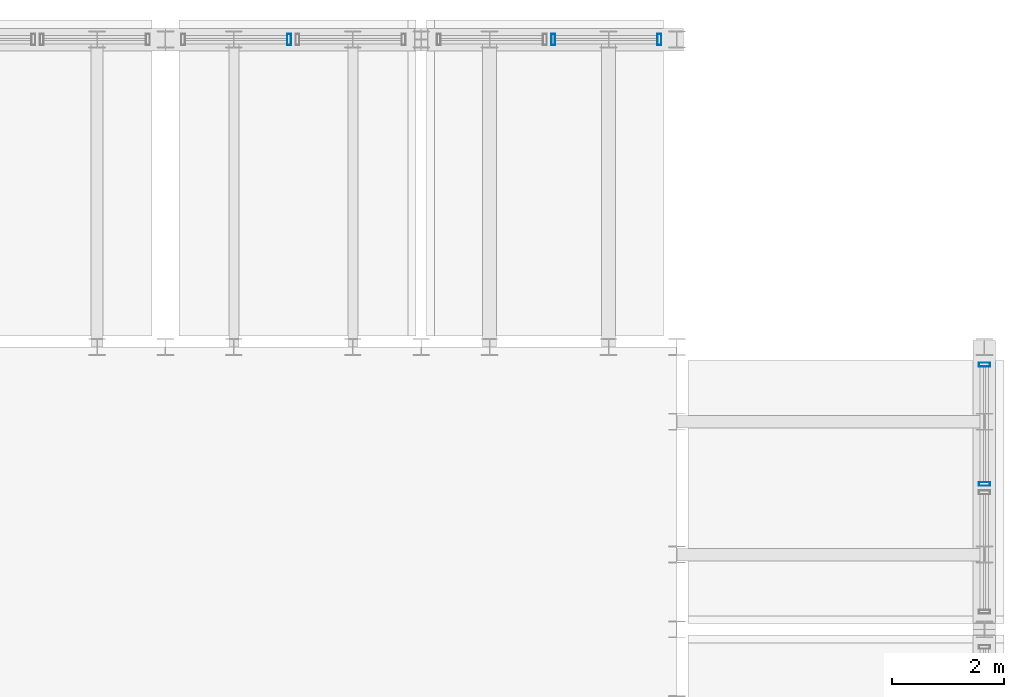
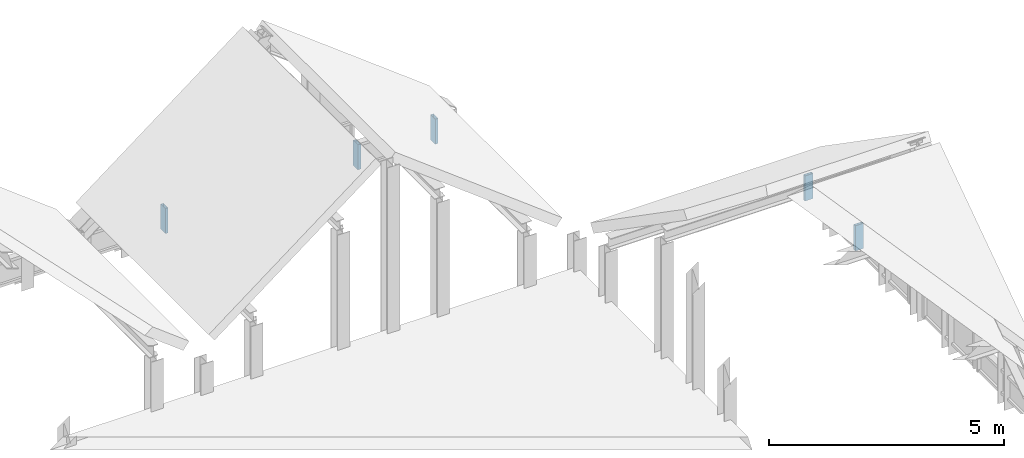
# One storey, part 19 of 21: 5 members, 3 elements without a shape of their own.
"""IFC4 building model written with IfcOpenShell, lengths in metres."""

import ifcopenshell
import ifcopenshell.guid

model = None  # the IFC model being written
_history = None  # IfcOwnerHistory: only IFC2X3 demands one
_inside = {}  # id of a spatial element -> (the spatial element, [elements in it])
_under = {}  # id of a project, library or spatial element -> (it, [spatial elements below it])
_declared = {}  # id of a project -> (the project, [libraries it declares])
_typed = {}  # id of a type object -> (the type object, [elements of that type])
_made_of = {}  # id of a material, layer set ... -> (it, [elements and type objects made of it])


def new_model(schema):
    """Start an empty IFC model of exactly this schema.

    Asked for "IFC4X3", IfcOpenShell would pick the latest addendum, in which some entities
    have other attributes; the version numbers below select the first issue.
    IFC2X3 requires an IfcOwnerHistory on every rooted entity: one is made here for all.
    """
    global model, _history
    if schema == "IFC4X3":
        model = ifcopenshell.file(schema_version=(4, 3, 0, 0))
    else:
        model = ifcopenshell.file(schema=schema)
    _inside.clear()
    _under.clear()
    _declared.clear()
    _typed.clear()
    _made_of.clear()
    _history = None
    if model.schema == "IFC2X3":
        org = make("IfcOrganization", Name="unknown")
        user = make(
            "IfcPersonAndOrganization",
            ThePerson=make("IfcPerson", FamilyName="unknown"),
            TheOrganization=org,
        )
        app = make(
            "IfcApplication",
            ApplicationDeveloper=org,
            Version="unknown",
            ApplicationFullName="unknown",
            ApplicationIdentifier="unknown",
        )
        _history = make(
            "IfcOwnerHistory",
            OwningUser=user,
            OwningApplication=app,
            ChangeAction="ADDED",
            CreationDate=0,
        )
    return model


def make(cls, **values):
    """One entity of the class cls with the attributes given. An attribute that is None is left unset."""
    return model.create_entity(
        cls, **{name: value for name, value in values.items() if value is not None}
    )


def rooted(cls, **values):
    """An entity with a GlobalId (a new one), such as an element, a storey or a relation."""
    return make(cls, GlobalId=ifcopenshell.guid.new(), OwnerHistory=_history, **values)


def si_unit(unit_type, name, prefix=None):
    """IfcSIUnit, for example si_unit("LENGTHUNIT", "METRE", prefix="MILLI")."""
    return make("IfcSIUnit", UnitType=unit_type, Prefix=prefix, Name=name)


def assignment(units):
    """IfcUnitAssignment: the units of a project."""
    return None if units is None else make("IfcUnitAssignment", Units=units)


def point(xyz):
    """IfcCartesianPoint."""
    return None if xyz is None else make("IfcCartesianPoint", Coordinates=xyz)


def direction(xyz):
    """IfcDirection."""
    return None if xyz is None else make("IfcDirection", DirectionRatios=xyz)


def frame(location, z_axis=None, x_axis=None):
    """IfcAxis2Placement3D, a coordinate frame: its origin and axes. An axis left out is left unset."""
    return make(
        "IfcAxis2Placement3D",
        Location=point(location),
        Axis=direction(z_axis),
        RefDirection=direction(x_axis),
    )


def frame_2d(location, x_axis=None):
    """IfcAxis2Placement2D, a coordinate frame in the plane: its origin and x axis."""
    return make(
        "IfcAxis2Placement2D", Location=point(location), RefDirection=direction(x_axis)
    )


def origin():
    """The frame at (0, 0, 0) with its axes left unset."""
    return frame((0.0, 0.0, 0.0))


def origin_2d():
    """The frame at (0, 0) in the plane with its x axis left unset."""
    return frame_2d((0.0, 0.0))


def place(relative_to, where):
    """IfcLocalPlacement: puts the frame where relative to a parent placement (None: the world)."""
    return make(
        "IfcLocalPlacement", PlacementRelTo=relative_to, RelativePlacement=where
    )


def context(
    kind, dimensions, precision=None, world=None, true_north=None, identifier=None
):
    """IfcGeometricRepresentationContext, for example the 3D "Model" context."""
    return make(
        "IfcGeometricRepresentationContext",
        ContextIdentifier=identifier,
        ContextType=kind,
        CoordinateSpaceDimension=dimensions,
        Precision=precision,
        WorldCoordinateSystem=world,
        TrueNorth=true_north,
    )


def subcontext(parent, identifier, kind, view, scale=None):
    """IfcGeometricRepresentationSubContext, for example "Body" below "Model"."""
    return make(
        "IfcGeometricRepresentationSubContext",
        ContextIdentifier=identifier,
        ContextType=kind,
        ParentContext=parent,
        TargetScale=scale,
        TargetView=view,
    )


def project(units=None, contexts=None):
    """IfcProject with its units and contexts."""
    return rooted(
        "IfcProject",
        Name="project",
        RepresentationContexts=contexts,
        UnitsInContext=assignment(units),
    )


def spatial(cls, under=None, at=None, **own):
    """A site, building, storey or space (cls), placed at a placement, below another one or the project."""
    s = rooted(cls, ObjectPlacement=at, **own)
    if under is not None:
        _under.setdefault(under.id(), (under, []))[1].append(s)
    return s


def profile(cls, at=None, kind="AREA", **sizes):
    """A parametric profile (cls). Its sizes go by their IFC names, for example OverallWidth=200.0."""
    return make(cls, ProfileType=kind, Position=at, **sizes)


def hollow_rectangle(**sizes):
    """IfcRectangleHollowProfileDef."""
    return profile("IfcRectangleHollowProfileDef", **sizes)


def extrude(swept, where, along, depth):
    """IfcExtrudedAreaSolid: the profile swept, set in the frame where, extruded along a direction by depth."""
    return make(
        "IfcExtrudedAreaSolid",
        SweptArea=swept,
        Position=where,
        ExtrudedDirection=direction(along),
        Depth=depth,
    )


def shape(context_of_items, identifier, shape_type, items):
    """IfcShapeRepresentation: the items that make up one representation, for example the "Body"."""
    return make(
        "IfcShapeRepresentation",
        ContextOfItems=context_of_items,
        RepresentationIdentifier=identifier,
        RepresentationType=shape_type,
        Items=items,
    )


def source(mapping_origin, context_of_items, identifier, shape_type, items):
    """IfcRepresentationMap: a shape defined once, which mapped items show again and again."""
    return make(
        "IfcRepresentationMap",
        MappingOrigin=mapping_origin,
        MappedRepresentation=shape(context_of_items, identifier, shape_type, items),
    )


def transform(
    local_origin,
    x_axis=None,
    y_axis=None,
    z_axis=None,
    scale=None,
    scale2=None,
    scale3=None,
    uniform=True,
):
    """IfcCartesianTransformationOperator3D, or its non-uniform kind. x_axis, y_axis, z_axis: its Axis1, 2, 3."""
    if uniform:
        return make(
            "IfcCartesianTransformationOperator3D",
            Axis1=direction(x_axis),
            Axis2=direction(y_axis),
            LocalOrigin=point(local_origin),
            Scale=scale,
            Axis3=direction(z_axis),
        )
    return make(
        "IfcCartesianTransformationOperator3DnonUniform",
        Axis1=direction(x_axis),
        Axis2=direction(y_axis),
        LocalOrigin=point(local_origin),
        Scale=scale,
        Axis3=direction(z_axis),
        Scale2=scale2,
        Scale3=scale3,
    )


def mapped(mapping_source, mapping_target):
    """IfcMappedItem: shows the shape of a source again, moved by a transform."""
    return make(
        "IfcMappedItem", MappingSource=mapping_source, MappingTarget=mapping_target
    )


def material(Name=None, Category=None):
    """IfcMaterial."""
    return make("IfcMaterial", Name=Name, Category=Category)


def layer(
    of_material, thickness, ventilated=None, Name=None, Category=None, Priority=None
):
    """IfcMaterialLayer: one layer of a wall or slab, of a material (None: an air gap)."""
    return make(
        "IfcMaterialLayer",
        Material=of_material,
        LayerThickness=thickness,
        IsVentilated=ventilated,
        Name=Name,
        Category=Category,
        Priority=Priority,
    )


def layer_set(layers, Name=None):
    """IfcMaterialLayerSet."""
    return make("IfcMaterialLayerSet", MaterialLayers=layers, LayerSetName=Name)


def material_profile(
    of_material, cross_section, Name=None, Category=None, Priority=None
):
    """IfcMaterialProfile: a cross section and its material."""
    return make(
        "IfcMaterialProfile",
        Name=Name,
        Material=of_material,
        Profile=cross_section,
        Priority=Priority,
        Category=Category,
    )


def profile_set(profiles, Name=None, composite=None):
    """IfcMaterialProfileSet."""
    return make(
        "IfcMaterialProfileSet",
        Name=Name,
        MaterialProfiles=profiles,
        CompositeProfile=composite,
    )


def made_of(thing, what):
    """Note that an element or type object is made of a material, layer set ...; save() writes the relation."""
    if what is not None:
        _made_of.setdefault(what.id(), (what, []))[1].append(thing)
    return thing


def type_object(cls, material=None, **own):
    """A type object (cls), such as IfcWallType, which elements share."""
    return made_of(rooted(cls, **own), material)


def element(
    cls,
    number,
    at=None,
    inside=None,
    cuts=None,
    type_object=None,
    material=None,
    context=None,
    identifier="Body",
    shape_type=None,
    held_by="IfcProductDefinitionShape",
    body=None,
    shapes=None,
    **own,
):
    """One element of the class cls, such as IfcWall. Its Tag is "e" and its number.

    at: its placement. inside: the storey or other place that contains it. cuts: it is an
    opening in that element (IfcRelVoidsElement). A single representation is given by context,
    identifier, shape_type and body (its items); several are given by shapes. held_by: the class
    of the entity that holds the representations. save() writes the other relations.
    """
    e = rooted(cls, Tag="e%d" % number, ObjectPlacement=at, **own)
    if body is not None:
        shapes = [shape(context, identifier, shape_type, body)]
    if shapes is not None:
        e.Representation = make(held_by, Representations=shapes)
    if inside is not None:
        _inside.setdefault(inside.id(), (inside, []))[1].append(e)
    if cuts is not None:
        rooted(
            "IfcRelVoidsElement", RelatingBuildingElement=cuts, RelatedOpeningElement=e
        )
    if type_object is not None:
        _typed.setdefault(type_object.id(), (type_object, []))[1].append(e)
    return made_of(e, material)


def aggregate(whole, parts):
    """IfcRelAggregates: a whole, such as a stair, and the parts it consists of."""
    return rooted("IfcRelAggregates", RelatingObject=whole, RelatedObjects=parts)


def save(model, path):
    """Write the relations noted so far, then the file.

    IfcRelAggregates (storeys below a building ...), IfcRelContainedInSpatialStructure (elements
    in a storey), IfcRelDefinesByType, IfcRelAssociatesMaterial and IfcRelDeclares: one each for
    every whole, place, type object, material and project.
    """
    for whole, parts in _under.values():
        aggregate(whole, parts)
    for where, things in _inside.values():
        rooted(
            "IfcRelContainedInSpatialStructure",
            RelatedElements=things,
            RelatingStructure=where,
        )
    for kind, things in _typed.values():
        rooted("IfcRelDefinesByType", RelatedObjects=things, RelatingType=kind)
    for what, things in _made_of.values():
        rooted("IfcRelAssociatesMaterial", RelatedObjects=things, RelatingMaterial=what)
    for by, libraries in _declared.values():
        rooted("IfcRelDeclares", RelatingContext=by, RelatedDefinitions=libraries)
    model.write(path)


model = new_model("IFC4")

# Units and contexts
model_context = context("Model", 3, precision=1e-05, world=origin(), true_north=direction((0.0, 1.0)))
body_context = subcontext(model_context, "Body", "Model", "MODEL_VIEW")
ifc_project = project(units=[si_unit("LENGTHUNIT", "METRE"), si_unit("AREAUNIT", "SQUARE_METRE"), si_unit("VOLUMEUNIT", "CUBIC_METRE"), si_unit("PLANEANGLEUNIT", "RADIAN"), si_unit("MASSUNIT", "GRAM", prefix="KILO")], contexts=[model_context])

# Site, building, storey
site_placement = place(None, origin())
site = spatial("IfcSite", under=ifc_project, at=site_placement, CompositionType="ELEMENT")
building_placement = place(site_placement, origin())
building = spatial("IfcBuilding", under=site, at=building_placement, Name="Saelheon Loggia Tower", CompositionType="ELEMENT")
storey_placement = place(building_placement, frame((0.0, 0.0, 275.0)))
storey = spatial("IfcBuildingStorey", under=building, at=storey_placement, Name="ROOF", CompositionType="ELEMENT", Elevation=275.0)

# Curtain wall, members
ifc_material_1 = material(Name="Bronze-Anodised Aluminium and Fritted Ceramic Screen", Category="aluminium")
ifc_layer = layer(ifc_material_1, 0.219970703125)
ifc_layer_set = layer_set([ifc_layer], Name="Bronze-Anodised Aluminium and Fritted Ceramic Screen")
curtain_wall_type = type_object("IfcCurtainWallType", Name="CW_CrownScreen", PredefinedType="NOTDEFINED", material=ifc_layer_set)
curtain_wall_1_placement = place(storey_placement, origin())
curtain_wall_1 = element("IfcCurtainWall", 1, at=curtain_wall_1_placement, inside=storey, type_object=curtain_wall_type, Name="ROOF Wave Crest Curtain Wall E 06-2", PredefinedType="NOTDEFINED")
ifc_material_2 = material(Name="Bronze-Anodised Aluminium 6063-T6", Category="aluminium")
ifc_material_profile = material_profile(ifc_material_2, hollow_rectangle(XDim=0.070068359375, YDim=0.199951171875, WallThickness=0.0048828125, at=origin_2d()), Name="RHS-200x70x5")
ifc_profile_set = profile_set([ifc_material_profile], Name="Bronze-Anodised Aluminium 6063-T6")
member_type = type_object("IfcMemberType", Name="CW_CrownScreen_Mullion", PredefinedType="MULLION", material=ifc_profile_set)
shared_shape = source(origin(), body_context, "Body", "SweptSolid", [
    extrude(hollow_rectangle(XDim=0.070068359375, YDim=0.199951171875, WallThickness=0.0048828125, at=origin_2d()), origin(), (0.0, 0.0, 1.0), 0.64990234375),
])
member_1_placement = place(storey_placement, frame((52.64990234375, 39.699951171875, 0.02001953125), z_axis=(0.0, 0.0, 1.0), x_axis=(0.0, 1.0, 0.0)))
member_1 = element("IfcMember", 2, at=member_1_placement, type_object=member_type, Name="CW6 mullion 1", PredefinedType="MULLION", context=body_context, shape_type="MappedRepresentation", body=[
    mapped(shared_shape, transform((0.0, 0.0, 0.0), scale=1.0)),
])
member_2_placement = place(storey_placement, frame((52.64990234375, 41.8349609375, 0.02001953125), z_axis=(0.0, 0.0, 1.0), x_axis=(0.0, 1.0, 0.0)))
member_2 = element("IfcMember", 3, at=member_2_placement, type_object=member_type, Name="CW6 mullion 2", PredefinedType="MULLION", context=body_context, shape_type="MappedRepresentation", body=[
    mapped(shared_shape, transform((0.0, 0.0, 0.0), scale=1.0)),
])
aggregate(curtain_wall_1, [member_1, member_2])

# Curtain wall, member
curtain_wall_2_placement = place(storey_placement, origin())
curtain_wall_2 = element("IfcCurtainWall", 4, at=curtain_wall_2_placement, inside=storey, type_object=curtain_wall_type, Name="ROOF Wave Crest Curtain Wall N 03-1", PredefinedType="NOTDEFINED")
member_3_placement = place(storey_placement, frame((40.21240234375, 47.64990234375, 0.02001953125), z_axis=(0.0, 0.0, 1.0), x_axis=(1.0, 0.0, 0.0)))
member_3 = element("IfcMember", 5, at=member_3_placement, type_object=member_type, Name="CW6 mullion 2", PredefinedType="MULLION", context=body_context, shape_type="MappedRepresentation", body=[
    mapped(shared_shape, transform((0.0, 0.0, 0.0), scale=1.0)),
])
aggregate(curtain_wall_2, [member_3])

# Curtain wall, members
curtain_wall_3_placement = place(storey_placement, origin())
curtain_wall_3 = element("IfcCurtainWall", 6, at=curtain_wall_3_placement, inside=storey, type_object=curtain_wall_type, Name="ROOF Wave Crest Curtain Wall N 04-2", PredefinedType="NOTDEFINED")
member_4_placement = place(storey_placement, frame((44.9375, 47.64990234375, 0.02001953125), z_axis=(0.0, 0.0, 1.0), x_axis=(1.0, 0.0, 0.0)))
member_4 = element("IfcMember", 7, at=member_4_placement, type_object=member_type, Name="CW6 mullion 1", PredefinedType="MULLION", context=body_context, shape_type="MappedRepresentation", body=[
    mapped(shared_shape, transform((0.0, 0.0, 0.0), scale=1.0)),
])
member_5_placement = place(storey_placement, frame((46.8349609375, 47.64990234375, 0.02001953125), z_axis=(0.0, 0.0, 1.0), x_axis=(1.0, 0.0, 0.0)))
member_5 = element("IfcMember", 8, at=member_5_placement, type_object=member_type, Name="CW6 mullion 2", PredefinedType="MULLION", context=body_context, shape_type="MappedRepresentation", body=[
    mapped(shared_shape, transform((0.0, 0.0, 0.0), scale=1.0)),
])
aggregate(curtain_wall_3, [member_4, member_5])

save(model, "model.ifc")
